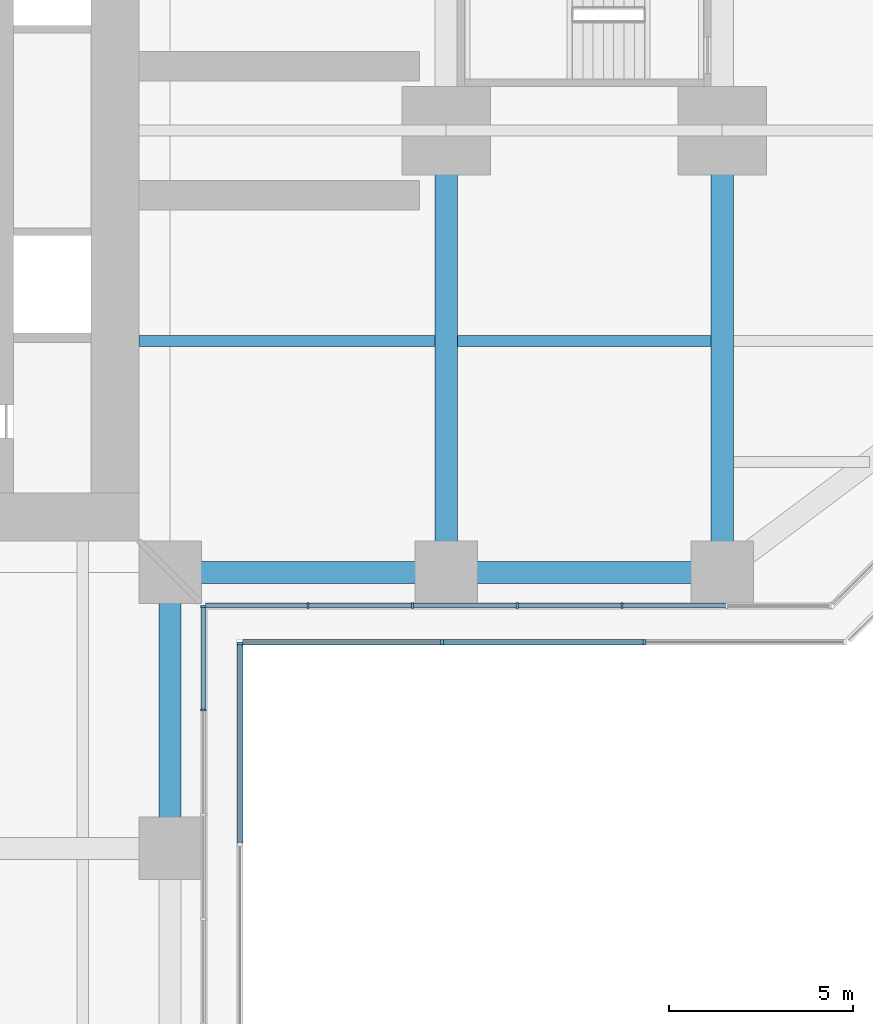
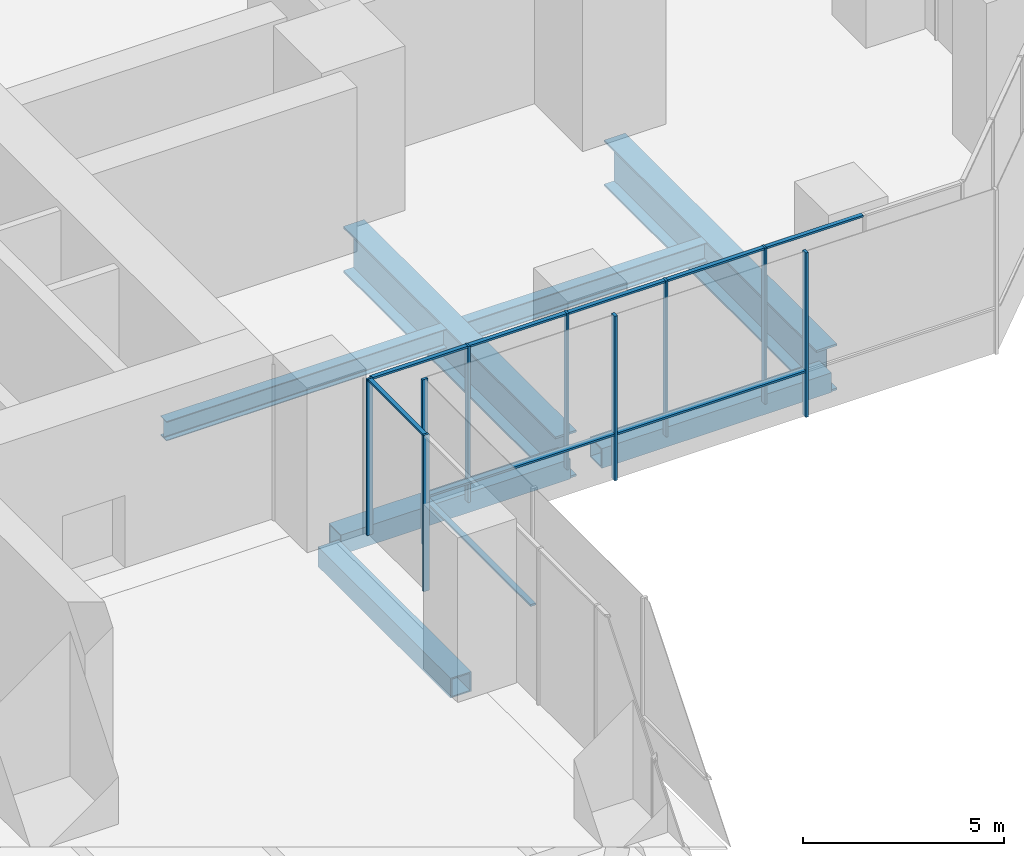
# One storey, part 6 of 23: 18 members, 7 beams, 4 elements without a shape of their own.
"""IFC4 building model written with IfcOpenShell, lengths in metres."""

from ifc_helpers import new_model, si_unit, direction, frame, origin, origin_2d, place, context, subcontext, project, spatial, rectangle, hollow_rectangle, i_section, extrude, material, material_profile, profile_set, type_object, element, aggregate, save


model = new_model("IFC4")

# Units and contexts
model_context = context("Model", 3, precision=1e-05, world=origin(), true_north=direction((0.0, 1.0)))
body_context = subcontext(model_context, "Body", "Model", "MODEL_VIEW")
ifc_project = project(units=[si_unit("LENGTHUNIT", "METRE"), si_unit("AREAUNIT", "SQUARE_METRE"), si_unit("VOLUMEUNIT", "CUBIC_METRE"), si_unit("PLANEANGLEUNIT", "RADIAN"), si_unit("MASSUNIT", "GRAM", prefix="KILO")], contexts=[model_context])

# Site, building, storey
site_placement = place(None, origin())
site = spatial("IfcSite", under=ifc_project, at=site_placement, CompositionType="ELEMENT")
building_placement = place(site_placement, origin())
building = spatial("IfcBuilding", under=site, at=building_placement, Name="Mizan Broadcast Tower", CompositionType="ELEMENT")
storey_placement = place(building_placement, frame((0.0, 0.0, 23.0)))
storey = spatial("IfcBuildingStorey", under=building, at=storey_placement, Name="L03", CompositionType="ELEMENT", Elevation=23.0)

# Beams
ifc_material_1 = material(Name="Steel S355", Category="steel")
ifc_material_profile_1 = material_profile(ifc_material_1, hollow_rectangle(XDim=0.60009765625, YDim=0.60009765625, WallThickness=0.0400390625, at=origin_2d()), Name="BOX 600x600x40")
ifc_profile_set_1 = profile_set([ifc_material_profile_1], Name="Steel S355")
beam_type_1 = type_object("IfcBeamType", Name="EDGE BEAM BOX 600x600x40", PredefinedType="SPANDREL", material=ifc_profile_set_1)
for number, where, z_axis, x_axis, name in (
    (1, (12.449951171875, -12.0, -0.550048828125), (1.0, 0.0, 0.0), (0.0, 1.0, 0.0), "Edge beam BOX 600x600x40 L03 east arm"),
    (2, (19.949951171875, -12.0, -0.550048828125), (1.0, 0.0, 0.0), (0.0, 1.0, 0.0), "Edge beam BOX 600x600x40 L03 east arm"),
    (3, (12.0, -12.449951171875, -0.550048828125), (0.0, -1.0, 0.0), (1.0, 0.0, 0.0), "Edge beam BOX 600x600x40 L03 south arm"),
):
    element("IfcBeam", number, at=place(storey_placement, frame(where, z_axis=z_axis, x_axis=x_axis)), inside=storey, type_object=beam_type_1, Name=name, PredefinedType="SPANDREL", context=body_context, shape_type="SweptSolid", body=[
        extrude(hollow_rectangle(XDim=0.60009765625, YDim=0.60009765625, WallThickness=0.0400390625, at=origin_2d()), origin(), (0.0, 0.0, 1.0), 6.60009765625),
    ])
ifc_material_2 = material(Name="Steel S460", Category="steel")
ifc_material_profile_2 = material_profile(ifc_material_2, i_section(OverallWidth=0.60009765625, OverallDepth=1.39990234375, WebThickness=0.02490234375, FlangeThickness=0.06005859375, at=origin_2d()), Name="WPG 1400x600")
ifc_profile_set_2 = profile_set([ifc_material_profile_2], Name="Steel S460")
beam_type_2 = type_object("IfcBeamType", Name="GIRDER WPG 1400x600", PredefinedType="BEAM", material=ifc_profile_set_2)
for number, where, z_axis, x_axis, name in (
    (4, (19.5, -11.280029296875, -0.949951171875), (0.0, 1.0, 0.0), (-1.0, 0.0, 0.0), "Girder WPG 1400x600 L03 east arm"),
    (5, (27.0, -11.280029296875, -0.949951171875), (0.0, 1.0, 0.0), (-1.0, 0.0, 0.0), "Girder WPG 1400x600 L03 east arm"),
):
    element("IfcBeam", number, at=place(storey_placement, frame(where, z_axis=z_axis, x_axis=x_axis)), inside=storey, type_object=beam_type_2, Name=name, PredefinedType="BEAM", context=body_context, shape_type="SweptSolid", body=[
        extrude(i_section(OverallWidth=0.60009765625, OverallDepth=1.39990234375, WebThickness=0.02490234375, FlangeThickness=0.06005859375, at=origin_2d()), origin(), (0.0, 0.0, 1.0), 10.56005859375),
    ])

# Curtain wall, members
ifc_material_3 = material(Name="Aluminium framed glazing", Category="aluminium")
curtain_wall_type_1 = type_object("IfcCurtainWallType", Name="PODIUM CURTAIN WALL", PredefinedType="USERDEFINED", material=ifc_material_3)
curtain_wall_1_placement = place(storey_placement, origin())
curtain_wall_1 = element("IfcCurtainWall", 6, at=curtain_wall_1_placement, inside=storey, type_object=curtain_wall_type_1, Name="Podium curtain wall L03 E side", ObjectType="PODIUM CURTAIN WALL", PredefinedType="USERDEFINED")
ifc_material_4 = material(Name="Aluminium, pale anodised", Category="aluminium")
ifc_material_profile_3 = material_profile(ifc_material_4, rectangle(XDim=0.159912109375, YDim=0.06005859375, at=origin_2d()), Name="MULLION 160x60")
ifc_profile_set_3 = profile_set([ifc_material_profile_3], Name="Aluminium, pale anodised")
member_type_1 = type_object("IfcMemberType", Name="INNER SKIN MULLION 60x160", PredefinedType="MULLION", material=ifc_profile_set_3)
member_1_placement = place(storey_placement, frame((15.7431640625, -12.89990234375, 0.0), z_axis=(0.0, 0.0, 1.0), x_axis=(0.0, 1.0, 0.0)))
member_1 = element("IfcMember", 7, at=member_1_placement, type_object=member_type_1, Name="Podium curtain wall L03 E side mullion 2", PredefinedType="MULLION", context=body_context, shape_type="SweptSolid", body=[
    extrude(rectangle(XDim=0.159912109375, YDim=0.06005859375, at=origin_2d()), origin(), (0.0, 0.0, 1.0), 4.75),
])
member_2_placement = place(storey_placement, frame((18.586181640625, -12.89990234375, 0.0), z_axis=(0.0, 0.0, 1.0), x_axis=(0.0, 1.0, 0.0)))
member_2 = element("IfcMember", 8, at=member_2_placement, type_object=member_type_1, Name="Podium curtain wall L03 E side mullion 3", PredefinedType="MULLION", context=body_context, shape_type="SweptSolid", body=[
    extrude(rectangle(XDim=0.159912109375, YDim=0.06005859375, at=origin_2d()), origin(), (0.0, 0.0, 1.0), 4.75),
])
member_3_placement = place(storey_placement, frame((21.42919921875, -12.89990234375, 0.0), z_axis=(0.0, 0.0, 1.0), x_axis=(0.0, 1.0, 0.0)))
member_3 = element("IfcMember", 9, at=member_3_placement, type_object=member_type_1, Name="Podium curtain wall L03 E side mullion 4", PredefinedType="MULLION", context=body_context, shape_type="SweptSolid", body=[
    extrude(rectangle(XDim=0.159912109375, YDim=0.06005859375, at=origin_2d()), origin(), (0.0, 0.0, 1.0), 4.75),
])
member_4_placement = place(storey_placement, frame((24.2724609375, -12.89990234375, 0.0), z_axis=(0.0, 0.0, 1.0), x_axis=(0.0, 1.0, 0.0)))
member_4 = element("IfcMember", 10, at=member_4_placement, type_object=member_type_1, Name="Podium curtain wall L03 E side mullion 5", PredefinedType="MULLION", context=body_context, shape_type="SweptSolid", body=[
    extrude(rectangle(XDim=0.159912109375, YDim=0.06005859375, at=origin_2d()), origin(), (0.0, 0.0, 1.0), 4.75),
])

curtain_wall_2_placement = place(storey_placement, origin())
curtain_wall_2 = element("IfcCurtainWall", 11, at=curtain_wall_2_placement, inside=storey, type_object=curtain_wall_type_1, Name="Podium curtain wall L03 S side", ObjectType="PODIUM CURTAIN WALL", PredefinedType="USERDEFINED")
member_5_placement = place(storey_placement, frame((12.89990234375, -15.7431640625, 0.0), z_axis=(0.0, 0.0, 1.0), x_axis=(-1.0, 0.0, 0.0)))
member_5 = element("IfcMember", 12, at=member_5_placement, type_object=member_type_1, Name="Podium curtain wall L03 S side mullion 6", PredefinedType="MULLION", context=body_context, shape_type="SweptSolid", body=[
    extrude(rectangle(XDim=0.159912109375, YDim=0.06005859375, at=origin_2d()), origin(), (0.0, 0.0, 1.0), 4.75),
])
member_6_placement = place(storey_placement, frame((12.89990234375, -12.929931640625, 0.0), z_axis=(0.0, 0.0, 1.0), x_axis=(-1.0, 0.0, 0.0)))
member_6 = element("IfcMember", 13, at=member_6_placement, type_object=member_type_1, Name="Podium curtain wall L03 S side mullion 7", PredefinedType="MULLION", context=body_context, shape_type="SweptSolid", body=[
    extrude(rectangle(XDim=0.159912109375, YDim=0.06005859375, at=origin_2d()), origin(), (0.0, 0.0, 1.0), 4.75),
])

# Member
ifc_material_5 = material(Name="Aluminium, pale anodised", Category="aluminium")
ifc_material_profile_4 = material_profile(ifc_material_5, rectangle(XDim=0.1201171875, YDim=0.06005859375, at=origin_2d()), Name="TRANSOM 120x60")
ifc_profile_set_4 = profile_set([ifc_material_profile_4], Name="Aluminium, pale anodised")
member_type_2 = type_object("IfcMemberType", Name="INNER SKIN TRANSOM 60x120", PredefinedType="USERDEFINED", material=ifc_profile_set_4)
member_7_placement = place(storey_placement, frame((12.9599609375, -12.89990234375, 4.719970703125), z_axis=(1.0, 0.0, 0.0), x_axis=(0.0, 1.0, 0.0)))
member_7 = element("IfcMember", 14, at=member_7_placement, type_object=member_type_2, Name="Podium curtain wall L03 E side transom 1.1", ObjectType="TRANSOM", PredefinedType="USERDEFINED", context=body_context, shape_type="SweptSolid", body=[
    extrude(rectangle(XDim=0.1201171875, YDim=0.06005859375, at=origin_2d()), origin(), (0.0, 0.0, 1.0), 2.753173828125),
])

member_8_placement = place(storey_placement, frame((15.773193359375, -12.89990234375, 4.719970703125), z_axis=(1.0, 0.0, 0.0), x_axis=(0.0, 1.0, 0.0)))
member_8 = element("IfcMember", 15, at=member_8_placement, type_object=member_type_2, Name="Podium curtain wall L03 E side transom 2.1", ObjectType="TRANSOM", PredefinedType="USERDEFINED", context=body_context, shape_type="SweptSolid", body=[
    extrude(rectangle(XDim=0.1201171875, YDim=0.06005859375, at=origin_2d()), origin(), (0.0, 0.0, 1.0), 2.782958984375),
])

member_9_placement = place(storey_placement, frame((18.6162109375, -12.89990234375, 4.719970703125), z_axis=(1.0, 0.0, 0.0), x_axis=(0.0, 1.0, 0.0)))
member_9 = element("IfcMember", 16, at=member_9_placement, type_object=member_type_2, Name="Podium curtain wall L03 E side transom 3.1", ObjectType="TRANSOM", PredefinedType="USERDEFINED", context=body_context, shape_type="SweptSolid", body=[
    extrude(rectangle(XDim=0.1201171875, YDim=0.06005859375, at=origin_2d()), origin(), (0.0, 0.0, 1.0), 2.782958984375),
])

member_10_placement = place(storey_placement, frame((21.459228515625, -12.89990234375, 4.719970703125), z_axis=(1.0, 0.0, 0.0), x_axis=(0.0, 1.0, 0.0)))
member_10 = element("IfcMember", 17, at=member_10_placement, type_object=member_type_2, Name="Podium curtain wall L03 E side transom 4.1", ObjectType="TRANSOM", PredefinedType="USERDEFINED", context=body_context, shape_type="SweptSolid", body=[
    extrude(rectangle(XDim=0.1201171875, YDim=0.06005859375, at=origin_2d()), origin(), (0.0, 0.0, 1.0), 2.783203125),
])

member_11_placement = place(storey_placement, frame((24.302490234375, -12.89990234375, 4.719970703125), z_axis=(1.0, 0.0, 0.0), x_axis=(0.0, 1.0, 0.0)))
member_11 = element("IfcMember", 18, at=member_11_placement, type_object=member_type_2, Name="Podium curtain wall L03 E side transom 5.1", ObjectType="TRANSOM", PredefinedType="USERDEFINED", context=body_context, shape_type="SweptSolid", body=[
    extrude(rectangle(XDim=0.1201171875, YDim=0.06005859375, at=origin_2d()), origin(), (0.0, 0.0, 1.0), 2.782958984375),
])

aggregate(curtain_wall_1, [member_1, member_2, member_3, member_4, member_7, member_8, member_9, member_10, member_11])

member_12_placement = place(storey_placement, frame((12.89990234375, -15.713134765625, 4.719970703125), z_axis=(0.0, 1.0, 0.0), x_axis=(-1.0, 0.0, 0.0)))
member_12 = element("IfcMember", 19, at=member_12_placement, type_object=member_type_2, Name="Podium curtain wall L03 S side transom 6.1", ObjectType="TRANSOM", PredefinedType="USERDEFINED", context=body_context, shape_type="SweptSolid", body=[
    extrude(rectangle(XDim=0.1201171875, YDim=0.06005859375, at=origin_2d()), origin(), (0.0, 0.0, 1.0), 2.753173828125),
])

aggregate(curtain_wall_2, [member_5, member_6, member_12])

# Curtain wall, members
ifc_material_6 = material(Name="Aluminium framed glazing", Category="aluminium")
curtain_wall_type_2 = type_object("IfcCurtainWallType", Name="OUTER SKIN", PredefinedType="USERDEFINED", material=ifc_material_6)
curtain_wall_3_placement = place(storey_placement, origin())
curtain_wall_3 = element("IfcCurtainWall", 20, at=curtain_wall_3_placement, inside=storey, type_object=curtain_wall_type_2, Name="Outer skin L03 E side", ObjectType="OUTER SKIN", PredefinedType="USERDEFINED")
ifc_material_7 = material(Name="Aluminium, pale anodised", Category="aluminium")
ifc_material_profile_5 = material_profile(ifc_material_7, rectangle(XDim=0.159912109375, YDim=0.080078125, at=origin_2d()), Name="MULLION 160x80")
ifc_profile_set_5 = profile_set([ifc_material_profile_5], Name="Aluminium, pale anodised")
member_type_3 = type_object("IfcMemberType", Name="OUTER SKIN MULLION 80x160", PredefinedType="MULLION", material=ifc_profile_set_5)
member_13_placement = place(storey_placement, frame((19.390869140625, -13.89990234375, 0.0), z_axis=(0.0, 0.0, 1.0), x_axis=(0.0, 1.0, 0.0)))
member_13 = element("IfcMember", 21, at=member_13_placement, type_object=member_type_3, Name="Outer skin L03 E side mullion 2", PredefinedType="MULLION", context=body_context, shape_type="SweptSolid", body=[
    extrude(rectangle(XDim=0.159912109375, YDim=0.080078125, at=origin_2d()), origin(), (0.0, 0.0, 1.0), 5.0),
])
member_14_placement = place(storey_placement, frame((24.8818359375, -13.89990234375, 0.0), z_axis=(0.0, 0.0, 1.0), x_axis=(0.0, 1.0, 0.0)))
member_14 = element("IfcMember", 22, at=member_14_placement, type_object=member_type_3, Name="Outer skin L03 E side mullion 3", PredefinedType="MULLION", context=body_context, shape_type="SweptSolid", body=[
    extrude(rectangle(XDim=0.159912109375, YDim=0.080078125, at=origin_2d()), origin(), (0.0, 0.0, 1.0), 5.0),
])

# Curtain wall, member
curtain_wall_4_placement = place(storey_placement, origin())
curtain_wall_4 = element("IfcCurtainWall", 23, at=curtain_wall_4_placement, inside=storey, type_object=curtain_wall_type_2, Name="Outer skin L03 S side", ObjectType="OUTER SKIN", PredefinedType="USERDEFINED")
member_15_placement = place(storey_placement, frame((13.89990234375, -13.93994140625, 0.0), z_axis=(0.0, 0.0, 1.0), x_axis=(-1.0, 0.0, 0.0)))
member_15 = element("IfcMember", 24, at=member_15_placement, type_object=member_type_3, Name="Outer skin L03 S side mullion 4", PredefinedType="MULLION", context=body_context, shape_type="SweptSolid", body=[
    extrude(rectangle(XDim=0.159912109375, YDim=0.080078125, at=origin_2d()), origin(), (0.0, 0.0, 1.0), 5.0),
])

# Member
ifc_material_8 = material(Name="Aluminium, pale anodised", Category="aluminium")
ifc_material_profile_6 = material_profile(ifc_material_8, rectangle(XDim=0.159912109375, YDim=0.06005859375, at=origin_2d()), Name="TRANSOM 160x60")
ifc_profile_set_6 = profile_set([ifc_material_profile_6], Name="Aluminium, pale anodised")
member_type_4 = type_object("IfcMemberType", Name="OUTER SKIN TRANSOM 60x160", PredefinedType="USERDEFINED", material=ifc_profile_set_6)
member_16_placement = place(storey_placement, frame((13.97998046875, -13.89990234375, 1.39990234375), z_axis=(1.0, 0.0, 0.0), x_axis=(0.0, 1.0, 0.0)))
member_16 = element("IfcMember", 25, at=member_16_placement, type_object=member_type_4, Name="Outer skin L03 E side transom 1.1", ObjectType="TRANSOM", PredefinedType="USERDEFINED", context=body_context, shape_type="SweptSolid", body=[
    extrude(rectangle(XDim=0.159912109375, YDim=0.06005859375, at=origin_2d()), origin(), (0.0, 0.0, 1.0), 5.370849609375),
])

member_17_placement = place(storey_placement, frame((19.430908203125, -13.89990234375, 1.39990234375), z_axis=(1.0, 0.0, 0.0), x_axis=(0.0, 1.0, 0.0)))
member_17 = element("IfcMember", 26, at=member_17_placement, type_object=member_type_4, Name="Outer skin L03 E side transom 2.1", ObjectType="TRANSOM", PredefinedType="USERDEFINED", context=body_context, shape_type="SweptSolid", body=[
    extrude(rectangle(XDim=0.159912109375, YDim=0.06005859375, at=origin_2d()), origin(), (0.0, 0.0, 1.0), 5.410888671875),
])

aggregate(curtain_wall_3, [member_13, member_14, member_16, member_17])

member_18_placement = place(storey_placement, frame((13.89990234375, -19.350830078125, 1.39990234375), z_axis=(0.0, 1.0, 0.0), x_axis=(-1.0, 0.0, 0.0)))
member_18 = element("IfcMember", 27, at=member_18_placement, type_object=member_type_4, Name="Outer skin L03 S side transom 3.1", ObjectType="TRANSOM", PredefinedType="USERDEFINED", context=body_context, shape_type="SweptSolid", body=[
    extrude(rectangle(XDim=0.159912109375, YDim=0.06005859375, at=origin_2d()), origin(), (0.0, 0.0, 1.0), 5.370849609375),
])

aggregate(curtain_wall_4, [member_15, member_18])

# Beams
ifc_material_9 = material(Name="Steel S355", Category="steel")
ifc_material_profile_7 = material_profile(ifc_material_9, i_section(OverallWidth=0.300048828125, OverallDepth=0.590087890625, WebThickness=0.012939453125, FlangeThickness=0.02490234375, FilletRadius=0.027099609375, at=origin_2d()), Name="HEA 600")
ifc_profile_set_7 = profile_set([ifc_material_profile_7], Name="Steel S355")
beam_type_3 = type_object("IfcBeamType", Name="SECONDARY BEAM HEA 600", PredefinedType="JOIST", material=ifc_profile_set_7)
beam_1_placement = place(storey_placement, frame((11.14990234375, -5.71435546875, -0.544921875), z_axis=(1.0, 0.0, 0.0), x_axis=(0.0, 1.0, 0.0)))
element("IfcBeam", 28, at=beam_1_placement, inside=storey, type_object=beam_type_3, Name="Secondary beam HEA 600 L03 east arm", PredefinedType="JOIST", context=body_context, shape_type="SweptSolid", body=[
    extrude(i_section(OverallWidth=0.300048828125, OverallDepth=0.590087890625, WebThickness=0.012939453125, FlangeThickness=0.02490234375, FilletRadius=0.027099609375, at=origin_2d()), origin(), (0.0, 0.0, 1.0), 8.050048828125),
])
beam_2_placement = place(storey_placement, frame((19.800048828125, -5.71435546875, -0.544921875), z_axis=(1.0, 0.0, 0.0), x_axis=(0.0, 1.0, 0.0)))
element("IfcBeam", 29, at=beam_2_placement, inside=storey, type_object=beam_type_3, Name="Secondary beam HEA 600 L03 east arm", PredefinedType="JOIST", context=body_context, shape_type="SweptSolid", body=[
    extrude(i_section(OverallWidth=0.300048828125, OverallDepth=0.590087890625, WebThickness=0.012939453125, FlangeThickness=0.02490234375, FilletRadius=0.027099609375, at=origin_2d()), origin(), (0.0, 0.0, 1.0), 6.89990234375),
])

save(model, "model.ifc")
